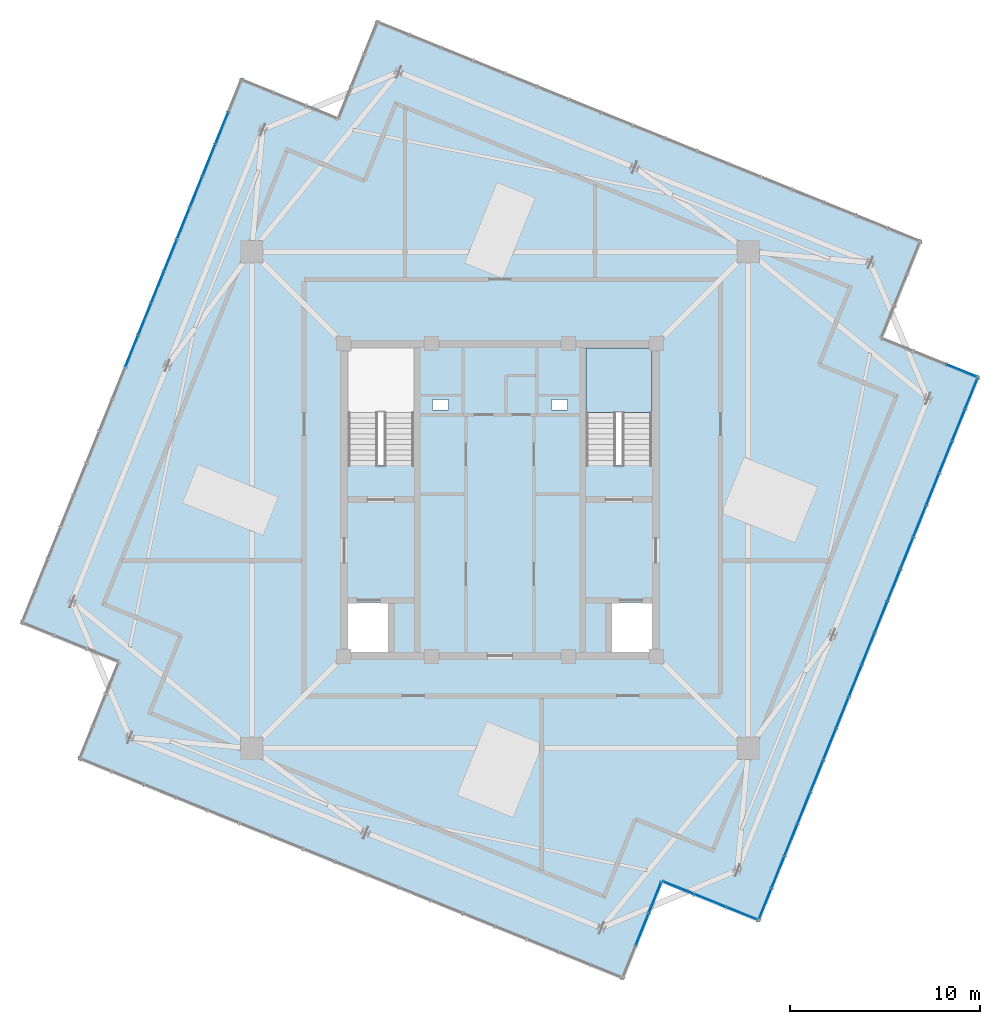
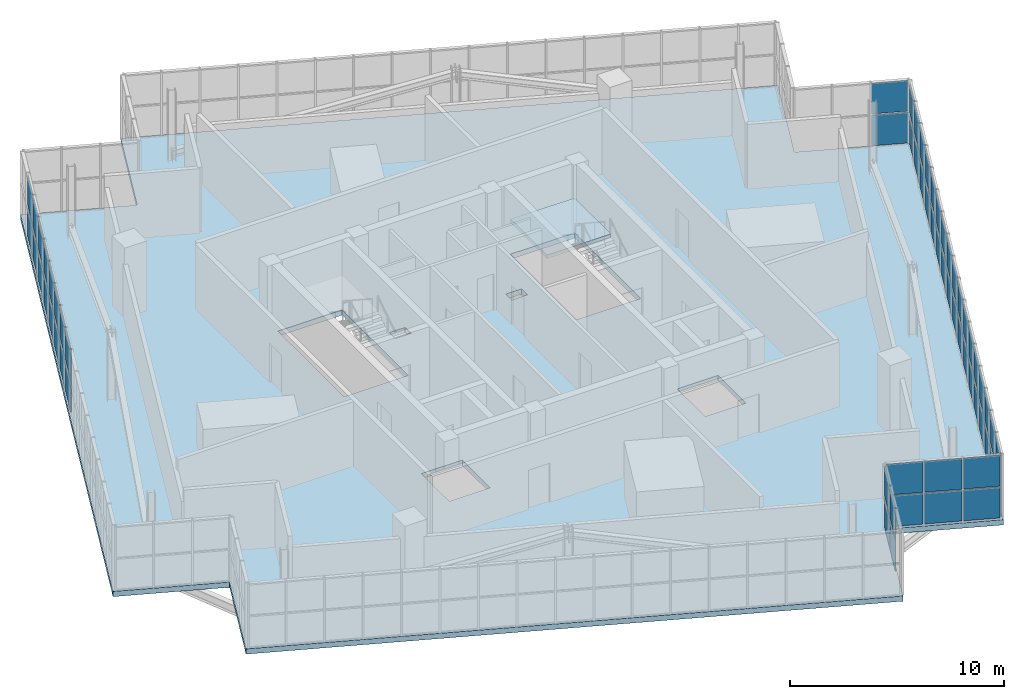
# One storey, part 19 of 26: 62 plates, 2 slabs, 6 elements without a shape of their own.
"""IFC4 building model written with IfcOpenShell, lengths in metres."""

from ifc_helpers import new_model, si_unit, direction, frame, origin, origin_2d, place, context, subcontext, project, spatial, polyline, rectangle, outline, extrude, source, transform, mapped, material, layer, layer_set, type_object, element, aggregate, save


model = new_model("IFC4")

# Units and contexts
model_context = context("Model", 3, precision=1e-05, world=origin(), true_north=direction((0.0, 1.0)))
body_context = subcontext(model_context, "Body", "Model", "MODEL_VIEW")
ifc_project = project(units=[si_unit("LENGTHUNIT", "METRE"), si_unit("AREAUNIT", "SQUARE_METRE"), si_unit("VOLUMEUNIT", "CUBIC_METRE"), si_unit("PLANEANGLEUNIT", "RADIAN"), si_unit("MASSUNIT", "GRAM", prefix="KILO"), si_unit("THERMODYNAMICTEMPERATUREUNIT", "KELVIN")], contexts=[model_context])

# Site, building, storey
site_placement = place(None, origin())
site = spatial("IfcSite", under=ifc_project, at=site_placement, CompositionType="ELEMENT")
building_placement = place(site_placement, origin())
building = spatial("IfcBuilding", under=site, at=building_placement, Name="Kosmvard Interchange Tower", CompositionType="ELEMENT")
storey_placement = place(building_placement, frame((0.0, 0.0, 329.60009765625)))
storey = spatial("IfcBuildingStorey", under=building, at=storey_placement, Name="L81", CompositionType="ELEMENT", Elevation=329.60009765625)

# Slab
ifc_material_1 = material(Name="Concrete C50/60", Category="concrete")
ifc_layer_1 = layer(ifc_material_1, 0.300048828125, Name="Concrete C50/60")
ifc_layer_set_1 = layer_set([ifc_layer_1], Name="Concrete C50/60")
slab_type_1 = type_object("IfcSlabType", Name="Crown Plant Equipment Slab 300 C50/60", PredefinedType="FLOOR", material=ifc_layer_set_1)
slab_1_placement = place(storey_placement, frame((0.0, 0.0, -0.300048828125)))
element("IfcSlab", 1, at=slab_1_placement, inside=storey, type_object=slab_type_1, Name="L81 Structural Floor Slab", PredefinedType="FLOOR", context=body_context, shape_type="SweptSolid", body=[
    extrude(outline(polyline([(13.66455078125, -22.238037109375), (25.27734375, 6.504638671875), (20.177734375, 8.56494140625), (22.238037109375, 13.66455078125), (-6.504638671875, 25.27734375), (-8.56494140625, 20.177734375), (-13.66455078125, 22.238037109375), (-25.27734375, -6.504638671875), (-20.177734375, -8.56494140625), (-22.238037109375, -13.66455078125), (6.504638671875, -25.27734375), (8.56494140625, -20.177734375), (13.66455078125, -22.238037109375)]), holes=[polyline([(-8.0, 1.8349609375), (-4.5400390625, 1.8349609375), (-4.5400390625, 8.0), (-8.0, 8.0), (-8.0, 1.8349609375)]), polyline([(4.5400390625, 1.8349609375), (8.0, 1.8349609375), (8.0, 8.0), (4.5400390625, 8.0), (4.5400390625, 1.8349609375)]), polyline([(-8.0, -8.0), (-5.800048828125, -8.0), (-5.800048828125, -5.39990234375), (-8.0, -5.39990234375), (-8.0, -8.0)]), polyline([(5.800048828125, -8.0), (8.0, -8.0), (8.0, -5.39990234375), (5.800048828125, -5.39990234375), (5.800048828125, -8.0)]), polyline([(-3.56494140625, 4.739990234375), (-2.715087890625, 4.739990234375), (-2.715087890625, 5.2900390625), (-3.56494140625, 5.2900390625), (-3.56494140625, 4.739990234375)]), polyline([(2.715087890625, 4.739990234375), (3.56494140625, 4.739990234375), (3.56494140625, 5.2900390625), (2.715087890625, 5.2900390625), (2.715087890625, 4.739990234375)])]), origin(), (0.0, 0.0, 1.0), 0.300048828125),
])

# Stair, slab
stair_type = type_object("IfcStairType", Name="Dog-Leg Core Exit Stair H4000 C50/60", PredefinedType="HALF_TURN_STAIR", material=ifc_material_1)
stair_placement = place(storey_placement, origin())
stair = element("IfcStair", 2, at=stair_placement, inside=storey, type_object=stair_type, Name="L81 Protected Exit Stair ST-2", PredefinedType="HALF_TURN_STAIR")
ifc_layer_2 = layer(ifc_material_1, 0.199951171875, Name="Concrete C50/60")
ifc_layer_set_2 = layer_set([ifc_layer_2], Name="Concrete C50/60")
slab_type_2 = type_object("IfcSlabType", Name="Stair Half-Landing Slab 200 C50/60", PredefinedType="LANDING", material=ifc_layer_set_2)
slab_2_placement = place(storey_placement, frame((0.0, 0.0, 1.7998046875)))
slab_2 = element("IfcSlab", 3, at=slab_2_placement, type_object=slab_type_2, Name="ST-2 landing 1", PredefinedType="LANDING", context=body_context, shape_type="SweptSolid", body=[
    extrude(outline(polyline([(8.0, 4.60009765625), (8.0, 8.0), (4.5400390625, 8.0), (4.5400390625, 4.60009765625), (8.0, 4.60009765625)])), origin(), (0.0, 0.0, 1.0), 0.2001953125),
])
aggregate(stair, [slab_2])

# Curtain wall, plates
ifc_material_2 = material(Name="Architectural anodised aluminium", Category="aluminium")
ifc_layer_3 = layer(ifc_material_2, 0.25, Name="Architectural anodised aluminium")
ifc_layer_set_3 = layer_set([ifc_layer_3], Name="Architectural anodised aluminium")
curtain_wall_type = type_object("IfcCurtainWallType", Name="CW-6 Illuminated Crown Lantern Curtain Wall", PredefinedType="NOTDEFINED", material=ifc_layer_set_3)
curtain_wall_1_placement = place(storey_placement, origin())
curtain_wall_1 = element("IfcCurtainWall", 4, at=curtain_wall_1_placement, inside=storey, type_object=curtain_wall_type, Name="L81 Crown Lantern Glazing Face 01", PredefinedType="NOTDEFINED")
ifc_material_3 = material(Name="Laminated acoustic lantern glazing", Category="glass")
ifc_layer_4 = layer(ifc_material_3, 0.035888671875, Name="Laminated acoustic lantern glazing")
ifc_layer_set_4 = layer_set([ifc_layer_4], Name="Laminated acoustic lantern glazing")
plate_type = type_object("IfcPlateType", Name="Lantern Diffused Illuminated Panel 36", PredefinedType="CURTAIN_PANEL", material=ifc_layer_set_4)
shared_shape_1 = source(origin(), body_context, "Body", "SweptSolid", [
    extrude(rectangle(XDim=1.694091796875, YDim=0.035888671875, at=origin_2d()), origin(), (0.0, 0.0, 1.0), 1.7451171875),
])
plate_1_placement = place(storey_placement, frame((13.967529296875, -21.2744140625, 0.06982421875), z_axis=(0.0, 0.0, 1.0), x_axis=(0.374606584758, 0.927183858065, 0.0)))
plate_1 = element("IfcPlate", 5, at=plate_1_placement, type_object=plate_type, Name="CW-6 panel 1.1", PredefinedType="CURTAIN_PANEL", context=body_context, shape_type="MappedRepresentation", body=[
    mapped(shared_shape_1, transform((0.0, 0.0, 0.0), scale=1.0)),
])
plate_2_placement = place(storey_placement, frame((13.967529296875, -21.2744140625, 1.884765625), z_axis=(0.0, 0.0, 1.0), x_axis=(0.374606584758, 0.927183858065, 0.0)))
plate_2 = element("IfcPlate", 6, at=plate_2_placement, type_object=plate_type, Name="CW-6 panel 1.2", PredefinedType="CURTAIN_PANEL", context=body_context, shape_type="MappedRepresentation", body=[
    mapped(shared_shape_1, transform((0.0, 0.0, 0.0), scale=1.0)),
])
plate_3_placement = place(storey_placement, frame((24.825927734375, 5.600830078125, 0.06982421875), z_axis=(0.0, 0.0, 1.0), x_axis=(0.374606584758, 0.927183858065, 0.0)))
plate_3 = element("IfcPlate", 7, at=plate_3_placement, type_object=plate_type, Name="CW-6 panel 17.1", PredefinedType="CURTAIN_PANEL", context=body_context, shape_type="MappedRepresentation", body=[
    mapped(shared_shape_1, transform((0.0, 0.0, 0.0), scale=1.0)),
])
plate_4_placement = place(storey_placement, frame((24.825927734375, 5.600830078125, 1.884765625), z_axis=(0.0, 0.0, 1.0), x_axis=(0.374606584758, 0.927183858065, 0.0)))
plate_4 = element("IfcPlate", 8, at=plate_4_placement, type_object=plate_type, Name="CW-6 panel 17.2", PredefinedType="CURTAIN_PANEL", context=body_context, shape_type="MappedRepresentation", body=[
    mapped(shared_shape_1, transform((0.0, 0.0, 0.0), scale=1.0)),
])
shared_shape_2 = source(origin(), body_context, "Body", "SweptSolid", [
    extrude(rectangle(XDim=1.734130859375, YDim=0.035888671875, at=origin_2d()), origin(), (0.0, 0.0, 1.0), 1.7451171875),
])
plate_5_placement = place(storey_placement, frame((14.6396484375, -19.61083984375, 0.06982421875), z_axis=(0.0, 0.0, 1.0), x_axis=(0.374606584758, 0.927183858065, 0.0)))
plate_5 = element("IfcPlate", 9, at=plate_5_placement, type_object=plate_type, Name="CW-6 panel 2.1", PredefinedType="CURTAIN_PANEL", context=body_context, shape_type="MappedRepresentation", body=[
    mapped(shared_shape_2, transform((0.0, 0.0, 0.0), scale=1.0)),
])
plate_6_placement = place(storey_placement, frame((14.6396484375, -19.61083984375, 1.884765625), z_axis=(0.0, 0.0, 1.0), x_axis=(0.374606584758, 0.927183858065, 0.0)))
plate_6 = element("IfcPlate", 10, at=plate_6_placement, type_object=plate_type, Name="CW-6 panel 2.2", PredefinedType="CURTAIN_PANEL", context=body_context, shape_type="MappedRepresentation", body=[
    mapped(shared_shape_2, transform((0.0, 0.0, 0.0), scale=1.0)),
])
plate_7_placement = place(storey_placement, frame((15.319091796875, -17.928955078125, 0.06982421875), z_axis=(0.0, 0.0, 1.0), x_axis=(0.374606584758, 0.927183858065, 0.0)))
plate_7 = element("IfcPlate", 11, at=plate_7_placement, type_object=plate_type, Name="CW-6 panel 3.1", PredefinedType="CURTAIN_PANEL", context=body_context, shape_type="MappedRepresentation", body=[
    mapped(shared_shape_2, transform((0.0, 0.0, 0.0), scale=1.0)),
])
plate_8_placement = place(storey_placement, frame((15.319091796875, -17.928955078125, 1.884765625), z_axis=(0.0, 0.0, 1.0), x_axis=(0.374606584758, 0.927183858065, 0.0)))
plate_8 = element("IfcPlate", 12, at=plate_8_placement, type_object=plate_type, Name="CW-6 panel 3.2", PredefinedType="CURTAIN_PANEL", context=body_context, shape_type="MappedRepresentation", body=[
    mapped(shared_shape_2, transform((0.0, 0.0, 0.0), scale=1.0)),
])
plate_9_placement = place(storey_placement, frame((15.998779296875, -16.246826171875, 0.06982421875), z_axis=(0.0, 0.0, 1.0), x_axis=(0.374606584758, 0.927183858065, 0.0)))
plate_9 = element("IfcPlate", 13, at=plate_9_placement, type_object=plate_type, Name="CW-6 panel 4.1", PredefinedType="CURTAIN_PANEL", context=body_context, shape_type="MappedRepresentation", body=[
    mapped(shared_shape_2, transform((0.0, 0.0, 0.0), scale=1.0)),
])
plate_10_placement = place(storey_placement, frame((15.998779296875, -16.246826171875, 1.884765625), z_axis=(0.0, 0.0, 1.0), x_axis=(0.374606584758, 0.927183858065, 0.0)))
plate_10 = element("IfcPlate", 14, at=plate_10_placement, type_object=plate_type, Name="CW-6 panel 4.2", PredefinedType="CURTAIN_PANEL", context=body_context, shape_type="MappedRepresentation", body=[
    mapped(shared_shape_2, transform((0.0, 0.0, 0.0), scale=1.0)),
])
plate_11_placement = place(storey_placement, frame((16.678466796875, -14.56494140625, 0.06982421875), z_axis=(0.0, 0.0, 1.0), x_axis=(0.374606584758, 0.927183858065, 0.0)))
plate_11 = element("IfcPlate", 15, at=plate_11_placement, type_object=plate_type, Name="CW-6 panel 5.1", PredefinedType="CURTAIN_PANEL", context=body_context, shape_type="MappedRepresentation", body=[
    mapped(shared_shape_2, transform((0.0, 0.0, 0.0), scale=1.0)),
])
plate_12_placement = place(storey_placement, frame((16.678466796875, -14.56494140625, 1.884765625), z_axis=(0.0, 0.0, 1.0), x_axis=(0.374606584758, 0.927183858065, 0.0)))
plate_12 = element("IfcPlate", 16, at=plate_12_placement, type_object=plate_type, Name="CW-6 panel 5.2", PredefinedType="CURTAIN_PANEL", context=body_context, shape_type="MappedRepresentation", body=[
    mapped(shared_shape_2, transform((0.0, 0.0, 0.0), scale=1.0)),
])
plate_13_placement = place(storey_placement, frame((17.35791015625, -12.8828125, 0.06982421875), z_axis=(0.0, 0.0, 1.0), x_axis=(0.374606584758, 0.927183858065, 0.0)))
plate_13 = element("IfcPlate", 17, at=plate_13_placement, type_object=plate_type, Name="CW-6 panel 6.1", PredefinedType="CURTAIN_PANEL", context=body_context, shape_type="MappedRepresentation", body=[
    mapped(shared_shape_2, transform((0.0, 0.0, 0.0), scale=1.0)),
])
plate_14_placement = place(storey_placement, frame((17.35791015625, -12.8828125, 1.884765625), z_axis=(0.0, 0.0, 1.0), x_axis=(0.374606584758, 0.927183858065, 0.0)))
plate_14 = element("IfcPlate", 18, at=plate_14_placement, type_object=plate_type, Name="CW-6 panel 6.2", PredefinedType="CURTAIN_PANEL", context=body_context, shape_type="MappedRepresentation", body=[
    mapped(shared_shape_2, transform((0.0, 0.0, 0.0), scale=1.0)),
])
plate_15_placement = place(storey_placement, frame((18.03759765625, -11.200927734375, 0.06982421875), z_axis=(0.0, 0.0, 1.0), x_axis=(0.374606584758, 0.927183858065, 0.0)))
plate_15 = element("IfcPlate", 19, at=plate_15_placement, type_object=plate_type, Name="CW-6 panel 7.1", PredefinedType="CURTAIN_PANEL", context=body_context, shape_type="MappedRepresentation", body=[
    mapped(shared_shape_2, transform((0.0, 0.0, 0.0), scale=1.0)),
])
plate_16_placement = place(storey_placement, frame((18.03759765625, -11.200927734375, 1.884765625), z_axis=(0.0, 0.0, 1.0), x_axis=(0.374606584758, 0.927183858065, 0.0)))
plate_16 = element("IfcPlate", 20, at=plate_16_placement, type_object=plate_type, Name="CW-6 panel 7.2", PredefinedType="CURTAIN_PANEL", context=body_context, shape_type="MappedRepresentation", body=[
    mapped(shared_shape_2, transform((0.0, 0.0, 0.0), scale=1.0)),
])
plate_17_placement = place(storey_placement, frame((18.717041015625, -9.518798828125, 0.06982421875), z_axis=(0.0, 0.0, 1.0), x_axis=(0.374606584758, 0.927183858065, 0.0)))
plate_17 = element("IfcPlate", 21, at=plate_17_placement, type_object=plate_type, Name="CW-6 panel 8.1", PredefinedType="CURTAIN_PANEL", context=body_context, shape_type="MappedRepresentation", body=[
    mapped(shared_shape_2, transform((0.0, 0.0, 0.0), scale=1.0)),
])
plate_18_placement = place(storey_placement, frame((18.717041015625, -9.518798828125, 1.884765625), z_axis=(0.0, 0.0, 1.0), x_axis=(0.374606584758, 0.927183858065, 0.0)))
plate_18 = element("IfcPlate", 22, at=plate_18_placement, type_object=plate_type, Name="CW-6 panel 8.2", PredefinedType="CURTAIN_PANEL", context=body_context, shape_type="MappedRepresentation", body=[
    mapped(shared_shape_2, transform((0.0, 0.0, 0.0), scale=1.0)),
])
plate_19_placement = place(storey_placement, frame((19.396728515625, -7.836669921875, 0.06982421875), z_axis=(0.0, 0.0, 1.0), x_axis=(0.374606584758, 0.927183858065, 0.0)))
plate_19 = element("IfcPlate", 23, at=plate_19_placement, type_object=plate_type, Name="CW-6 panel 9.1", PredefinedType="CURTAIN_PANEL", context=body_context, shape_type="MappedRepresentation", body=[
    mapped(shared_shape_2, transform((0.0, 0.0, 0.0), scale=1.0)),
])
plate_20_placement = place(storey_placement, frame((19.396728515625, -7.836669921875, 1.884765625), z_axis=(0.0, 0.0, 1.0), x_axis=(0.374606584758, 0.927183858065, 0.0)))
plate_20 = element("IfcPlate", 24, at=plate_20_placement, type_object=plate_type, Name="CW-6 panel 9.2", PredefinedType="CURTAIN_PANEL", context=body_context, shape_type="MappedRepresentation", body=[
    mapped(shared_shape_2, transform((0.0, 0.0, 0.0), scale=1.0)),
])
plate_21_placement = place(storey_placement, frame((20.076171875, -6.15478515625, 0.06982421875), z_axis=(0.0, 0.0, 1.0), x_axis=(0.374606584758, 0.927183858065, 0.0)))
plate_21 = element("IfcPlate", 25, at=plate_21_placement, type_object=plate_type, Name="CW-6 panel 10.1", PredefinedType="CURTAIN_PANEL", context=body_context, shape_type="MappedRepresentation", body=[
    mapped(shared_shape_2, transform((0.0, 0.0, 0.0), scale=1.0)),
])
plate_22_placement = place(storey_placement, frame((20.076171875, -6.15478515625, 1.884765625), z_axis=(0.0, 0.0, 1.0), x_axis=(0.374606584758, 0.927183858065, 0.0)))
plate_22 = element("IfcPlate", 26, at=plate_22_placement, type_object=plate_type, Name="CW-6 panel 10.2", PredefinedType="CURTAIN_PANEL", context=body_context, shape_type="MappedRepresentation", body=[
    mapped(shared_shape_2, transform((0.0, 0.0, 0.0), scale=1.0)),
])
plate_23_placement = place(storey_placement, frame((20.755859375, -4.47265625, 0.06982421875), z_axis=(0.0, 0.0, 1.0), x_axis=(0.374606584758, 0.927183858065, 0.0)))
plate_23 = element("IfcPlate", 27, at=plate_23_placement, type_object=plate_type, Name="CW-6 panel 11.1", PredefinedType="CURTAIN_PANEL", context=body_context, shape_type="MappedRepresentation", body=[
    mapped(shared_shape_2, transform((0.0, 0.0, 0.0), scale=1.0)),
])
plate_24_placement = place(storey_placement, frame((20.755859375, -4.47265625, 1.884765625), z_axis=(0.0, 0.0, 1.0), x_axis=(0.374606584758, 0.927183858065, 0.0)))
plate_24 = element("IfcPlate", 28, at=plate_24_placement, type_object=plate_type, Name="CW-6 panel 11.2", PredefinedType="CURTAIN_PANEL", context=body_context, shape_type="MappedRepresentation", body=[
    mapped(shared_shape_2, transform((0.0, 0.0, 0.0), scale=1.0)),
])
plate_25_placement = place(storey_placement, frame((21.435546875, -2.790771484375, 0.06982421875), z_axis=(0.0, 0.0, 1.0), x_axis=(0.374606584758, 0.927183858065, 0.0)))
plate_25 = element("IfcPlate", 29, at=plate_25_placement, type_object=plate_type, Name="CW-6 panel 12.1", PredefinedType="CURTAIN_PANEL", context=body_context, shape_type="MappedRepresentation", body=[
    mapped(shared_shape_2, transform((0.0, 0.0, 0.0), scale=1.0)),
])
plate_26_placement = place(storey_placement, frame((21.435546875, -2.790771484375, 1.884765625), z_axis=(0.0, 0.0, 1.0), x_axis=(0.374606584758, 0.927183858065, 0.0)))
plate_26 = element("IfcPlate", 30, at=plate_26_placement, type_object=plate_type, Name="CW-6 panel 12.2", PredefinedType="CURTAIN_PANEL", context=body_context, shape_type="MappedRepresentation", body=[
    mapped(shared_shape_2, transform((0.0, 0.0, 0.0), scale=1.0)),
])
plate_27_placement = place(storey_placement, frame((22.114990234375, -1.108642578125, 0.06982421875), z_axis=(0.0, 0.0, 1.0), x_axis=(0.374606584758, 0.927183858065, 0.0)))
plate_27 = element("IfcPlate", 31, at=plate_27_placement, type_object=plate_type, Name="CW-6 panel 13.1", PredefinedType="CURTAIN_PANEL", context=body_context, shape_type="MappedRepresentation", body=[
    mapped(shared_shape_2, transform((0.0, 0.0, 0.0), scale=1.0)),
])
plate_28_placement = place(storey_placement, frame((22.114990234375, -1.108642578125, 1.884765625), z_axis=(0.0, 0.0, 1.0), x_axis=(0.374606584758, 0.927183858065, 0.0)))
plate_28 = element("IfcPlate", 32, at=plate_28_placement, type_object=plate_type, Name="CW-6 panel 13.2", PredefinedType="CURTAIN_PANEL", context=body_context, shape_type="MappedRepresentation", body=[
    mapped(shared_shape_2, transform((0.0, 0.0, 0.0), scale=1.0)),
])
plate_29_placement = place(storey_placement, frame((22.794677734375, 0.5732421875, 0.06982421875), z_axis=(0.0, 0.0, 1.0), x_axis=(0.374606584758, 0.927183858065, 0.0)))
plate_29 = element("IfcPlate", 33, at=plate_29_placement, type_object=plate_type, Name="CW-6 panel 14.1", PredefinedType="CURTAIN_PANEL", context=body_context, shape_type="MappedRepresentation", body=[
    mapped(shared_shape_2, transform((0.0, 0.0, 0.0), scale=1.0)),
])
plate_30_placement = place(storey_placement, frame((22.794677734375, 0.5732421875, 1.884765625), z_axis=(0.0, 0.0, 1.0), x_axis=(0.374606584758, 0.927183858065, 0.0)))
plate_30 = element("IfcPlate", 34, at=plate_30_placement, type_object=plate_type, Name="CW-6 panel 14.2", PredefinedType="CURTAIN_PANEL", context=body_context, shape_type="MappedRepresentation", body=[
    mapped(shared_shape_2, transform((0.0, 0.0, 0.0), scale=1.0)),
])
plate_31_placement = place(storey_placement, frame((23.47412109375, 2.25537109375, 0.06982421875), z_axis=(0.0, 0.0, 1.0), x_axis=(0.374606584758, 0.927183858065, 0.0)))
plate_31 = element("IfcPlate", 35, at=plate_31_placement, type_object=plate_type, Name="CW-6 panel 15.1", PredefinedType="CURTAIN_PANEL", context=body_context, shape_type="MappedRepresentation", body=[
    mapped(shared_shape_2, transform((0.0, 0.0, 0.0), scale=1.0)),
])
plate_32_placement = place(storey_placement, frame((23.47412109375, 2.25537109375, 1.884765625), z_axis=(0.0, 0.0, 1.0), x_axis=(0.374606584758, 0.927183858065, 0.0)))
plate_32 = element("IfcPlate", 36, at=plate_32_placement, type_object=plate_type, Name="CW-6 panel 15.2", PredefinedType="CURTAIN_PANEL", context=body_context, shape_type="MappedRepresentation", body=[
    mapped(shared_shape_2, transform((0.0, 0.0, 0.0), scale=1.0)),
])
plate_33_placement = place(storey_placement, frame((24.15380859375, 3.937255859375, 0.06982421875), z_axis=(0.0, 0.0, 1.0), x_axis=(0.374606584758, 0.927183858065, 0.0)))
plate_33 = element("IfcPlate", 37, at=plate_33_placement, type_object=plate_type, Name="CW-6 panel 16.1", PredefinedType="CURTAIN_PANEL", context=body_context, shape_type="MappedRepresentation", body=[
    mapped(shared_shape_2, transform((0.0, 0.0, 0.0), scale=1.0)),
])
plate_34_placement = place(storey_placement, frame((24.15380859375, 3.937255859375, 1.884765625), z_axis=(0.0, 0.0, 1.0), x_axis=(0.374606584758, 0.927183858065, 0.0)))
plate_34 = element("IfcPlate", 38, at=plate_34_placement, type_object=plate_type, Name="CW-6 panel 16.2", PredefinedType="CURTAIN_PANEL", context=body_context, shape_type="MappedRepresentation", body=[
    mapped(shared_shape_2, transform((0.0, 0.0, 0.0), scale=1.0)),
])
aggregate(curtain_wall_1, [plate_1, plate_2, plate_5, plate_6, plate_7, plate_8, plate_9, plate_10, plate_11, plate_12, plate_13, plate_14, plate_15, plate_16, plate_17, plate_18, plate_19, plate_20, plate_21, plate_22, plate_23, plate_24, plate_25, plate_26, plate_27, plate_28, plate_29, plate_30, plate_31, plate_32, plate_33, plate_34, plate_3, plate_4])

curtain_wall_2_placement = place(storey_placement, origin())
curtain_wall_2 = element("IfcCurtainWall", 39, at=curtain_wall_2_placement, inside=storey, type_object=curtain_wall_type, Name="L81 Crown Lantern Glazing Face 07", PredefinedType="NOTDEFINED")
plate_35_placement = place(storey_placement, frame((-14.6396484375, 19.61083984375, 0.06982421875), z_axis=(0.0, 0.0, 1.0), x_axis=(-0.374606584758, -0.927183858065, 0.0)))
plate_35 = element("IfcPlate", 40, at=plate_35_placement, type_object=plate_type, Name="CW-6 panel 2.1", PredefinedType="CURTAIN_PANEL", context=body_context, shape_type="MappedRepresentation", body=[
    mapped(shared_shape_2, transform((0.0, 0.0, 0.0), scale=1.0)),
])
plate_36_placement = place(storey_placement, frame((-14.6396484375, 19.61083984375, 1.884765625), z_axis=(0.0, 0.0, 1.0), x_axis=(-0.374606584758, -0.927183858065, 0.0)))
plate_36 = element("IfcPlate", 41, at=plate_36_placement, type_object=plate_type, Name="CW-6 panel 2.2", PredefinedType="CURTAIN_PANEL", context=body_context, shape_type="MappedRepresentation", body=[
    mapped(shared_shape_2, transform((0.0, 0.0, 0.0), scale=1.0)),
])
plate_37_placement = place(storey_placement, frame((-15.319091796875, 17.928955078125, 0.06982421875), z_axis=(0.0, 0.0, 1.0), x_axis=(-0.374606584758, -0.927183858065, 0.0)))
plate_37 = element("IfcPlate", 42, at=plate_37_placement, type_object=plate_type, Name="CW-6 panel 3.1", PredefinedType="CURTAIN_PANEL", context=body_context, shape_type="MappedRepresentation", body=[
    mapped(shared_shape_2, transform((0.0, 0.0, 0.0), scale=1.0)),
])
plate_38_placement = place(storey_placement, frame((-15.319091796875, 17.928955078125, 1.884765625), z_axis=(0.0, 0.0, 1.0), x_axis=(-0.374606584758, -0.927183858065, 0.0)))
plate_38 = element("IfcPlate", 43, at=plate_38_placement, type_object=plate_type, Name="CW-6 panel 3.2", PredefinedType="CURTAIN_PANEL", context=body_context, shape_type="MappedRepresentation", body=[
    mapped(shared_shape_2, transform((0.0, 0.0, 0.0), scale=1.0)),
])
plate_39_placement = place(storey_placement, frame((-15.998779296875, 16.246826171875, 0.06982421875), z_axis=(0.0, 0.0, 1.0), x_axis=(-0.374606584758, -0.927183858065, 0.0)))
plate_39 = element("IfcPlate", 44, at=plate_39_placement, type_object=plate_type, Name="CW-6 panel 4.1", PredefinedType="CURTAIN_PANEL", context=body_context, shape_type="MappedRepresentation", body=[
    mapped(shared_shape_2, transform((0.0, 0.0, 0.0), scale=1.0)),
])
plate_40_placement = place(storey_placement, frame((-15.998779296875, 16.246826171875, 1.884765625), z_axis=(0.0, 0.0, 1.0), x_axis=(-0.374606584758, -0.927183858065, 0.0)))
plate_40 = element("IfcPlate", 45, at=plate_40_placement, type_object=plate_type, Name="CW-6 panel 4.2", PredefinedType="CURTAIN_PANEL", context=body_context, shape_type="MappedRepresentation", body=[
    mapped(shared_shape_2, transform((0.0, 0.0, 0.0), scale=1.0)),
])
plate_41_placement = place(storey_placement, frame((-16.678466796875, 14.56494140625, 0.06982421875), z_axis=(0.0, 0.0, 1.0), x_axis=(-0.374606584758, -0.927183858065, 0.0)))
plate_41 = element("IfcPlate", 46, at=plate_41_placement, type_object=plate_type, Name="CW-6 panel 5.1", PredefinedType="CURTAIN_PANEL", context=body_context, shape_type="MappedRepresentation", body=[
    mapped(shared_shape_2, transform((0.0, 0.0, 0.0), scale=1.0)),
])
plate_42_placement = place(storey_placement, frame((-16.678466796875, 14.56494140625, 1.884765625), z_axis=(0.0, 0.0, 1.0), x_axis=(-0.374606584758, -0.927183858065, 0.0)))
plate_42 = element("IfcPlate", 47, at=plate_42_placement, type_object=plate_type, Name="CW-6 panel 5.2", PredefinedType="CURTAIN_PANEL", context=body_context, shape_type="MappedRepresentation", body=[
    mapped(shared_shape_2, transform((0.0, 0.0, 0.0), scale=1.0)),
])
plate_43_placement = place(storey_placement, frame((-17.35791015625, 12.8828125, 0.06982421875), z_axis=(0.0, 0.0, 1.0), x_axis=(-0.374606584758, -0.927183858065, 0.0)))
plate_43 = element("IfcPlate", 48, at=plate_43_placement, type_object=plate_type, Name="CW-6 panel 6.1", PredefinedType="CURTAIN_PANEL", context=body_context, shape_type="MappedRepresentation", body=[
    mapped(shared_shape_2, transform((0.0, 0.0, 0.0), scale=1.0)),
])
plate_44_placement = place(storey_placement, frame((-17.35791015625, 12.8828125, 1.884765625), z_axis=(0.0, 0.0, 1.0), x_axis=(-0.374606584758, -0.927183858065, 0.0)))
plate_44 = element("IfcPlate", 49, at=plate_44_placement, type_object=plate_type, Name="CW-6 panel 6.2", PredefinedType="CURTAIN_PANEL", context=body_context, shape_type="MappedRepresentation", body=[
    mapped(shared_shape_2, transform((0.0, 0.0, 0.0), scale=1.0)),
])
plate_45_placement = place(storey_placement, frame((-18.03759765625, 11.200927734375, 0.06982421875), z_axis=(0.0, 0.0, 1.0), x_axis=(-0.374606584758, -0.927183858065, 0.0)))
plate_45 = element("IfcPlate", 50, at=plate_45_placement, type_object=plate_type, Name="CW-6 panel 7.1", PredefinedType="CURTAIN_PANEL", context=body_context, shape_type="MappedRepresentation", body=[
    mapped(shared_shape_2, transform((0.0, 0.0, 0.0), scale=1.0)),
])
plate_46_placement = place(storey_placement, frame((-18.03759765625, 11.200927734375, 1.884765625), z_axis=(0.0, 0.0, 1.0), x_axis=(-0.374606584758, -0.927183858065, 0.0)))
plate_46 = element("IfcPlate", 51, at=plate_46_placement, type_object=plate_type, Name="CW-6 panel 7.2", PredefinedType="CURTAIN_PANEL", context=body_context, shape_type="MappedRepresentation", body=[
    mapped(shared_shape_2, transform((0.0, 0.0, 0.0), scale=1.0)),
])
plate_47_placement = place(storey_placement, frame((-18.717041015625, 9.518798828125, 0.06982421875), z_axis=(0.0, 0.0, 1.0), x_axis=(-0.374606584758, -0.927183858065, 0.0)))
plate_47 = element("IfcPlate", 52, at=plate_47_placement, type_object=plate_type, Name="CW-6 panel 8.1", PredefinedType="CURTAIN_PANEL", context=body_context, shape_type="MappedRepresentation", body=[
    mapped(shared_shape_2, transform((0.0, 0.0, 0.0), scale=1.0)),
])
plate_48_placement = place(storey_placement, frame((-18.717041015625, 9.518798828125, 1.884765625), z_axis=(0.0, 0.0, 1.0), x_axis=(-0.374606584758, -0.927183858065, 0.0)))
plate_48 = element("IfcPlate", 53, at=plate_48_placement, type_object=plate_type, Name="CW-6 panel 8.2", PredefinedType="CURTAIN_PANEL", context=body_context, shape_type="MappedRepresentation", body=[
    mapped(shared_shape_2, transform((0.0, 0.0, 0.0), scale=1.0)),
])
plate_49_placement = place(storey_placement, frame((-19.396728515625, 7.836669921875, 0.06982421875), z_axis=(0.0, 0.0, 1.0), x_axis=(-0.374606584758, -0.927183858065, 0.0)))
plate_49 = element("IfcPlate", 54, at=plate_49_placement, type_object=plate_type, Name="CW-6 panel 9.1", PredefinedType="CURTAIN_PANEL", context=body_context, shape_type="MappedRepresentation", body=[
    mapped(shared_shape_2, transform((0.0, 0.0, 0.0), scale=1.0)),
])
plate_50_placement = place(storey_placement, frame((-19.396728515625, 7.836669921875, 1.884765625), z_axis=(0.0, 0.0, 1.0), x_axis=(-0.374606584758, -0.927183858065, 0.0)))
plate_50 = element("IfcPlate", 55, at=plate_50_placement, type_object=plate_type, Name="CW-6 panel 9.2", PredefinedType="CURTAIN_PANEL", context=body_context, shape_type="MappedRepresentation", body=[
    mapped(shared_shape_2, transform((0.0, 0.0, 0.0), scale=1.0)),
])
aggregate(curtain_wall_2, [plate_35, plate_36, plate_37, plate_38, plate_39, plate_40, plate_41, plate_42, plate_43, plate_44, plate_45, plate_46, plate_47, plate_48, plate_49, plate_50])

curtain_wall_3_placement = place(storey_placement, origin())
curtain_wall_3 = element("IfcCurtainWall", 56, at=curtain_wall_3_placement, inside=storey, type_object=curtain_wall_type, Name="L81 Crown Lantern Glazing Face 02", PredefinedType="NOTDEFINED")
shared_shape_3 = source(origin(), body_context, "Body", "SweptSolid", [
    extrude(rectangle(XDim=1.71337890625, YDim=0.035888671875, at=origin_2d()), origin(), (0.0, 0.0, 1.0), 1.7451171875),
])
plate_51_placement = place(storey_placement, frame((24.3046875, 6.811279296875, 0.06982421875), z_axis=(0.0, 0.0, 1.0), x_axis=(-0.92718386612, 0.374606564822, 0.0)))
plate_51 = element("IfcPlate", 57, at=plate_51_placement, type_object=plate_type, Name="CW-6 panel 1.1", PredefinedType="CURTAIN_PANEL", context=body_context, shape_type="MappedRepresentation", body=[
    mapped(shared_shape_3, transform((0.0, 0.0, 0.0), scale=1.0)),
])
plate_52_placement = place(storey_placement, frame((24.3046875, 6.811279296875, 1.884765625), z_axis=(0.0, 0.0, 1.0), x_axis=(-0.92718386612, 0.374606564822, 0.0)))
plate_52 = element("IfcPlate", 58, at=plate_52_placement, type_object=plate_type, Name="CW-6 panel 1.2", PredefinedType="CURTAIN_PANEL", context=body_context, shape_type="MappedRepresentation", body=[
    mapped(shared_shape_3, transform((0.0, 0.0, 0.0), scale=1.0)),
])
aggregate(curtain_wall_3, [plate_51, plate_52])

curtain_wall_4_placement = place(storey_placement, origin())
curtain_wall_4 = element("IfcCurtainWall", 59, at=curtain_wall_4_placement, inside=storey, type_object=curtain_wall_type, Name="L81 Crown Lantern Glazing Face 11", PredefinedType="NOTDEFINED")
plate_53_placement = place(storey_placement, frame((8.169921875, -20.942138671875, 0.06982421875), z_axis=(0.0, 0.0, 1.0), x_axis=(0.374606564822, 0.92718386612, 0.0)))
plate_53 = element("IfcPlate", 60, at=plate_53_placement, type_object=plate_type, Name="CW-6 panel 3.1", PredefinedType="CURTAIN_PANEL", context=body_context, shape_type="MappedRepresentation", body=[
    mapped(shared_shape_3, transform((0.0, 0.0, 0.0), scale=1.0)),
])
plate_54_placement = place(storey_placement, frame((8.169921875, -20.942138671875, 1.884765625), z_axis=(0.0, 0.0, 1.0), x_axis=(0.374606564822, 0.92718386612, 0.0)))
plate_54 = element("IfcPlate", 61, at=plate_54_placement, type_object=plate_type, Name="CW-6 panel 3.2", PredefinedType="CURTAIN_PANEL", context=body_context, shape_type="MappedRepresentation", body=[
    mapped(shared_shape_3, transform((0.0, 0.0, 0.0), scale=1.0)),
])

curtain_wall_5_placement = place(storey_placement, origin())
curtain_wall_5 = element("IfcCurtainWall", 62, at=curtain_wall_5_placement, inside=storey, type_object=curtain_wall_type, Name="L81 Crown Lantern Glazing Face 12", PredefinedType="NOTDEFINED")
plate_55_placement = place(storey_placement, frame((9.38916015625, -20.424560546875, 0.06982421875), z_axis=(0.0, 0.0, 1.0), x_axis=(0.927183891631, -0.374606501678, 0.0)))
plate_55 = element("IfcPlate", 63, at=plate_55_placement, type_object=plate_type, Name="CW-6 panel 1.1", PredefinedType="CURTAIN_PANEL", context=body_context, shape_type="MappedRepresentation", body=[
    mapped(shared_shape_3, transform((0.0, 0.0, 0.0), scale=1.0)),
])
plate_56_placement = place(storey_placement, frame((9.38916015625, -20.424560546875, 1.884765625), z_axis=(0.0, 0.0, 1.0), x_axis=(0.927183891631, -0.374606501678, 0.0)))
plate_56 = element("IfcPlate", 64, at=plate_56_placement, type_object=plate_type, Name="CW-6 panel 1.2", PredefinedType="CURTAIN_PANEL", context=body_context, shape_type="MappedRepresentation", body=[
    mapped(shared_shape_3, transform((0.0, 0.0, 0.0), scale=1.0)),
])
plate_57_placement = place(storey_placement, frame((12.751708984375, -21.782958984375, 0.06982421875), z_axis=(0.0, 0.0, 1.0), x_axis=(0.927183891631, -0.374606501678, 0.0)))
plate_57 = element("IfcPlate", 65, at=plate_57_placement, type_object=plate_type, Name="CW-6 panel 3.1", PredefinedType="CURTAIN_PANEL", context=body_context, shape_type="MappedRepresentation", body=[
    mapped(shared_shape_3, transform((0.0, 0.0, 0.0), scale=1.0)),
])
plate_58_placement = place(storey_placement, frame((12.751708984375, -21.782958984375, 1.884765625), z_axis=(0.0, 0.0, 1.0), x_axis=(0.927183891631, -0.374606501678, 0.0)))
plate_58 = element("IfcPlate", 66, at=plate_58_placement, type_object=plate_type, Name="CW-6 panel 3.2", PredefinedType="CURTAIN_PANEL", context=body_context, shape_type="MappedRepresentation", body=[
    mapped(shared_shape_3, transform((0.0, 0.0, 0.0), scale=1.0)),
])

# Plate
shared_shape_4 = source(origin(), body_context, "Body", "SweptSolid", [
    extrude(rectangle(XDim=1.75341796875, YDim=0.035888671875, at=origin_2d()), origin(), (0.0, 0.0, 1.0), 1.7451171875),
])
plate_59_placement = place(storey_placement, frame((7.490478515625, -22.623291015625, 0.06982421875), z_axis=(0.0, 0.0, 1.0), x_axis=(0.374606564822, 0.92718386612, 0.0)))
plate_59 = element("IfcPlate", 67, at=plate_59_placement, type_object=plate_type, Name="CW-6 panel 2.1", PredefinedType="CURTAIN_PANEL", context=body_context, shape_type="MappedRepresentation", body=[
    mapped(shared_shape_4, transform((0.0, 0.0, 0.0), scale=1.0)),
])

plate_60_placement = place(storey_placement, frame((7.490478515625, -22.623291015625, 1.884765625), z_axis=(0.0, 0.0, 1.0), x_axis=(0.374606564822, 0.92718386612, 0.0)))
plate_60 = element("IfcPlate", 68, at=plate_60_placement, type_object=plate_type, Name="CW-6 panel 2.2", PredefinedType="CURTAIN_PANEL", context=body_context, shape_type="MappedRepresentation", body=[
    mapped(shared_shape_4, transform((0.0, 0.0, 0.0), scale=1.0)),
])

aggregate(curtain_wall_4, [plate_59, plate_60, plate_53, plate_54])

plate_61_placement = place(storey_placement, frame((11.070556640625, -21.103759765625, 0.06982421875), z_axis=(0.0, 0.0, 1.0), x_axis=(0.927183891631, -0.374606501678, 0.0)))
plate_61 = element("IfcPlate", 69, at=plate_61_placement, type_object=plate_type, Name="CW-6 panel 2.1", PredefinedType="CURTAIN_PANEL", context=body_context, shape_type="MappedRepresentation", body=[
    mapped(shared_shape_4, transform((0.0, 0.0, 0.0), scale=1.0)),
])

plate_62_placement = place(storey_placement, frame((11.070556640625, -21.103759765625, 1.884765625), z_axis=(0.0, 0.0, 1.0), x_axis=(0.927183891631, -0.374606501678, 0.0)))
plate_62 = element("IfcPlate", 70, at=plate_62_placement, type_object=plate_type, Name="CW-6 panel 2.2", PredefinedType="CURTAIN_PANEL", context=body_context, shape_type="MappedRepresentation", body=[
    mapped(shared_shape_4, transform((0.0, 0.0, 0.0), scale=1.0)),
])

aggregate(curtain_wall_5, [plate_55, plate_56, plate_61, plate_62, plate_57, plate_58])

save(model, "model.ifc")
